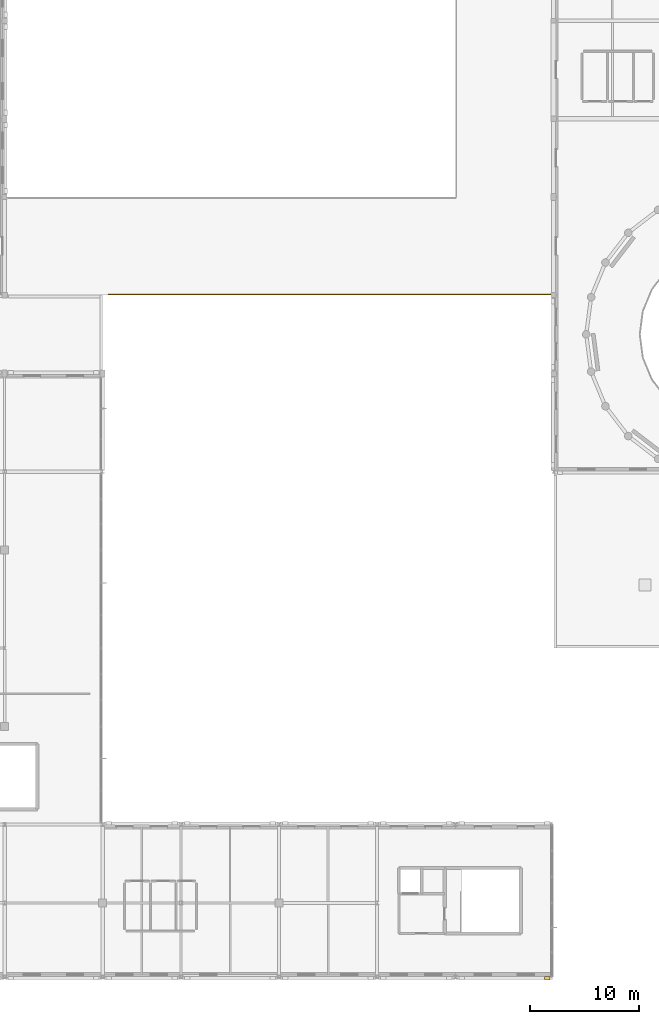
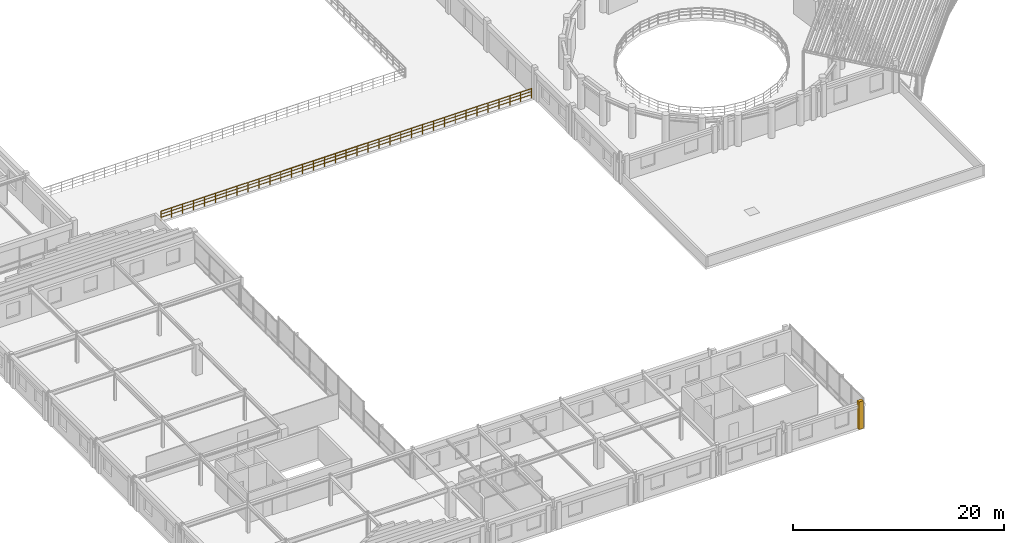
# One storey, part 60 of 74: 1 covering, 1 railing.
"""IFC4 building model written with IfcOpenShell, lengths in metres."""

from ifc_helpers import new_model, si_unit, direction, frame, frame_2d, origin, origin_2d, place, context, subcontext, project, spatial, rectangle, circle, extrude, material, layer, layer_set, type_object, element, save


model = new_model("IFC4")

# Units and contexts
model_context = context("Model", 3, precision=1e-05, world=origin(), true_north=direction((0.0, 1.0)))
body_context = subcontext(model_context, "Body", "Model", "MODEL_VIEW")
ifc_project = project(units=[si_unit("LENGTHUNIT", "METRE"), si_unit("AREAUNIT", "SQUARE_METRE"), si_unit("VOLUMEUNIT", "CUBIC_METRE"), si_unit("PLANEANGLEUNIT", "RADIAN"), si_unit("MASSUNIT", "GRAM", prefix="KILO")], contexts=[model_context])

# Site, building, storey
site_placement = place(None, origin())
site = spatial("IfcSite", under=ifc_project, at=site_placement, CompositionType="ELEMENT")
building_placement = place(site_placement, origin())
building = spatial("IfcBuilding", under=site, at=building_placement, Name="Clarverna Civic Hall", CompositionType="ELEMENT")
storey_placement = place(building_placement, frame((0.0, 0.0, 13.199951171875)))
storey = spatial("IfcBuildingStorey", under=building, at=storey_placement, Name="L03", CompositionType="ELEMENT", Elevation=13.199951171875)

# Covering
ifc_material_1 = material(Name="Montjuic Buff Limestone Ashlar Cladding", Category="masonry")
ifc_layer = layer(ifc_material_1, 0.070068359375)
ifc_layer_set = layer_set([ifc_layer], Name="Montjuic Buff Limestone Ashlar Cladding")
covering_type = type_object("IfcCoveringType", Name="CV-CL2", PredefinedType="CLADDING", material=ifc_layer_set)
covering_placement = place(storey_placement, frame((66.2548828125, -0.110107421875, 0.0), z_axis=(0.0, 0.0, 1.0), x_axis=(-1.0, 0.0, 0.0)))
element("IfcCovering", 1, at=covering_placement, inside=storey, type_object=covering_type, Name="CV-CL2-669", PredefinedType="CLADDING", context=body_context, shape_type="SweptSolid", body=[
    extrude(rectangle(XDim=0.5, YDim=0.340087890625, at=frame_2d((0.25, 0.0))), origin(), (0.0, 0.0, 1.0), 3.199951171875),
])

# Railing
ifc_material_2 = material(Name="Anodised Bronze Architectural Balustrade")
railing_type = type_object("IfcRailingType", Name="GR-01", PredefinedType="BALUSTRADE", material=ifc_material_2)
railing_placement = place(storey_placement, frame((66.304931640625, 62.659912109375, 0.0)))
element("IfcRailing", 2, at=railing_placement, inside=storey, type_object=railing_type, Name="GR-01-035", PredefinedType="BALUSTRADE", context=body_context, shape_type="SweptSolid", body=[
    extrude(circle(Radius=0.02392578125, at=origin_2d()), frame((0.0, 0.0, 1.09619140625), z_axis=(-1.0, 0.0, 0.0), x_axis=(0.0, -1.0, 0.0)), (0.0, 0.0, 1.0), 40.554931640625),
    extrude(circle(Radius=0.011962890625, at=origin_2d()), frame((0.0, 0.0, 0.39208984375), z_axis=(-1.0, 0.0, 0.0), x_axis=(0.0, -1.0, 0.0)), (0.0, 0.0, 1.0), 40.554931640625),
    extrude(circle(Radius=0.011962890625, at=origin_2d()), frame((0.0, 0.0, 0.76171875), z_axis=(-1.0, 0.0, 0.0), x_axis=(0.0, -1.0, 0.0)), (0.0, 0.0, 1.0), 40.554931640625),
    extrude(circle(Radius=0.02099609375, at=origin_2d()), origin(), (0.0, 0.0, 1.0), 1.072021484375),
    extrude(circle(Radius=0.02099609375, at=origin_2d()), frame((-1.19287109375, 0.0, 0.0)), (0.0, 0.0, 1.0), 1.072021484375),
    extrude(circle(Radius=0.02099609375, at=origin_2d()), frame((-2.385498046875, 0.0, 0.0)), (0.0, 0.0, 1.0), 1.072021484375),
    extrude(circle(Radius=0.02099609375, at=origin_2d()), frame((-3.578369140625, 0.0, 0.0)), (0.0, 0.0, 1.0), 1.072021484375),
    extrude(circle(Radius=0.02099609375, at=origin_2d()), frame((-4.771240234375, 0.0, 0.0)), (0.0, 0.0, 1.0), 1.072021484375),
    extrude(circle(Radius=0.02099609375, at=origin_2d()), frame((-5.9638671875, 0.0, 0.0)), (0.0, 0.0, 1.0), 1.072021484375),
    extrude(circle(Radius=0.02099609375, at=origin_2d()), frame((-7.15673828125, 0.0, 0.0)), (0.0, 0.0, 1.0), 1.072021484375),
    extrude(circle(Radius=0.02099609375, at=origin_2d()), frame((-8.349609375, 0.0, 0.0)), (0.0, 0.0, 1.0), 1.072021484375),
    extrude(circle(Radius=0.02099609375, at=origin_2d()), frame((-9.542236328125, 0.0, 0.0)), (0.0, 0.0, 1.0), 1.072021484375),
    extrude(circle(Radius=0.02099609375, at=origin_2d()), frame((-10.735107421875, 0.0, 0.0)), (0.0, 0.0, 1.0), 1.072021484375),
    extrude(circle(Radius=0.02099609375, at=origin_2d()), frame((-11.927978515625, 0.0, 0.0)), (0.0, 0.0, 1.0), 1.072021484375),
    extrude(circle(Radius=0.02099609375, at=origin_2d()), frame((-13.12060546875, 0.0, 0.0)), (0.0, 0.0, 1.0), 1.072021484375),
    extrude(circle(Radius=0.02099609375, at=origin_2d()), frame((-14.3134765625, 0.0, 0.0)), (0.0, 0.0, 1.0), 1.072021484375),
    extrude(circle(Radius=0.02099609375, at=origin_2d()), frame((-15.50634765625, 0.0, 0.0)), (0.0, 0.0, 1.0), 1.072021484375),
    extrude(circle(Radius=0.02099609375, at=origin_2d()), frame((-16.698974609375, 0.0, 0.0)), (0.0, 0.0, 1.0), 1.072021484375),
    extrude(circle(Radius=0.02099609375, at=origin_2d()), frame((-17.891845703125, 0.0, 0.0)), (0.0, 0.0, 1.0), 1.072021484375),
    extrude(circle(Radius=0.02099609375, at=origin_2d()), frame((-19.084716796875, 0.0, 0.0)), (0.0, 0.0, 1.0), 1.072021484375),
    extrude(circle(Radius=0.02099609375, at=origin_2d()), frame((-20.27734375, 0.0, 0.0)), (0.0, 0.0, 1.0), 1.072021484375),
    extrude(circle(Radius=0.02099609375, at=origin_2d()), frame((-21.47021484375, 0.0, 0.0)), (0.0, 0.0, 1.0), 1.072021484375),
    extrude(circle(Radius=0.02099609375, at=origin_2d()), frame((-22.6630859375, 0.0, 0.0)), (0.0, 0.0, 1.0), 1.072021484375),
    extrude(circle(Radius=0.02099609375, at=origin_2d()), frame((-23.85595703125, 0.0, 0.0)), (0.0, 0.0, 1.0), 1.072021484375),
    extrude(circle(Radius=0.02099609375, at=origin_2d()), frame((-25.048583984375, 0.0, 0.0)), (0.0, 0.0, 1.0), 1.072021484375),
    extrude(circle(Radius=0.02099609375, at=origin_2d()), frame((-26.241455078125, 0.0, 0.0)), (0.0, 0.0, 1.0), 1.072021484375),
    extrude(circle(Radius=0.02099609375, at=origin_2d()), frame((-27.434326171875, 0.0, 0.0)), (0.0, 0.0, 1.0), 1.072021484375),
    extrude(circle(Radius=0.02099609375, at=origin_2d()), frame((-28.626953125, 0.0, 0.0)), (0.0, 0.0, 1.0), 1.072021484375),
    extrude(circle(Radius=0.02099609375, at=origin_2d()), frame((-29.81982421875, 0.0, 0.0)), (0.0, 0.0, 1.0), 1.072021484375),
    extrude(circle(Radius=0.02099609375, at=origin_2d()), frame((-31.0126953125, 0.0, 0.0)), (0.0, 0.0, 1.0), 1.072021484375),
    extrude(circle(Radius=0.02099609375, at=origin_2d()), frame((-32.205322265625, 0.0, 0.0)), (0.0, 0.0, 1.0), 1.072021484375),
    extrude(circle(Radius=0.02099609375, at=origin_2d()), frame((-33.398193359375, 0.0, 0.0)), (0.0, 0.0, 1.0), 1.072021484375),
    extrude(circle(Radius=0.02099609375, at=origin_2d()), frame((-34.591064453125, 0.0, 0.0)), (0.0, 0.0, 1.0), 1.072021484375),
    extrude(circle(Radius=0.02099609375, at=origin_2d()), frame((-35.78369140625, 0.0, 0.0)), (0.0, 0.0, 1.0), 1.072021484375),
    extrude(circle(Radius=0.02099609375, at=origin_2d()), frame((-36.9765625, 0.0, 0.0)), (0.0, 0.0, 1.0), 1.072021484375),
    extrude(circle(Radius=0.02099609375, at=origin_2d()), frame((-38.16943359375, 0.0, 0.0)), (0.0, 0.0, 1.0), 1.072021484375),
    extrude(circle(Radius=0.02099609375, at=origin_2d()), frame((-39.362060546875, 0.0, 0.0)), (0.0, 0.0, 1.0), 1.072021484375),
    extrude(circle(Radius=0.02099609375, at=origin_2d()), frame((-40.554931640625, 0.0, 0.0)), (0.0, 0.0, 1.0), 1.072021484375),
])

save(model, "model.ifc")
